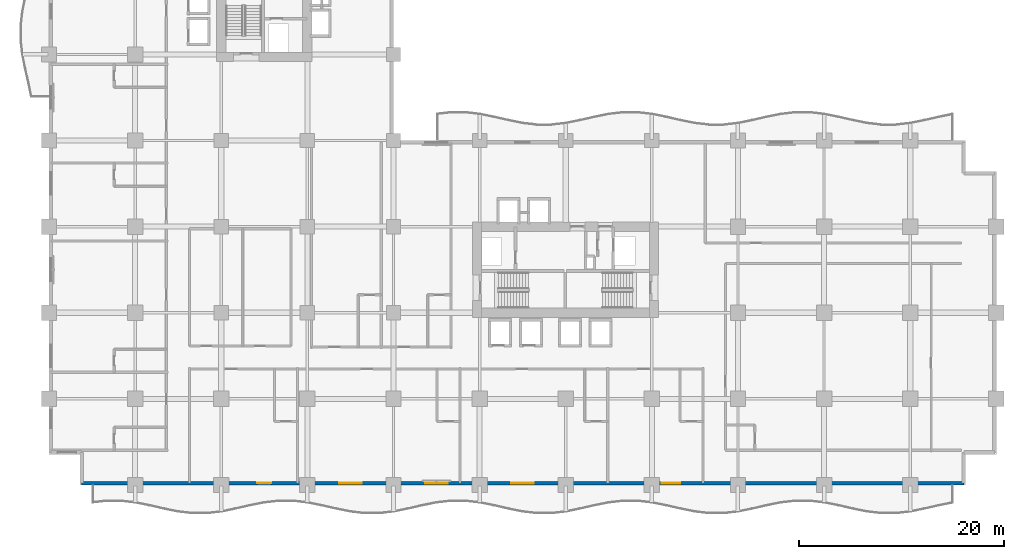
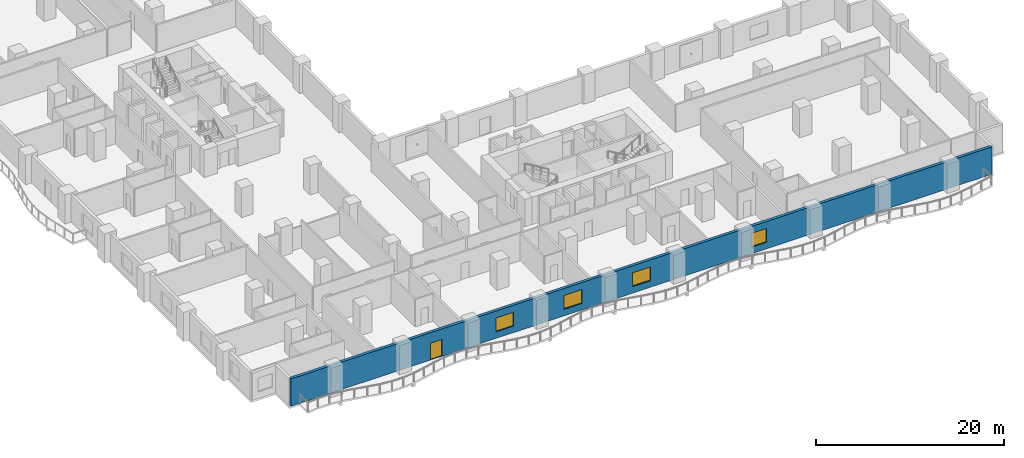
# One storey, part 5 of 20: 4 windows, 1 door, 1 wall, 5 openings.
"""IFC4 building model written with IfcOpenShell, lengths in metres."""

from ifc_helpers import new_model, si_unit, direction, frame, frame_2d, origin, place, context, subcontext, project, spatial, rectangle, extrude, material, layer, layer_set, type_object, element, fill, save


model = new_model("IFC4")

# Units and contexts
model_context = context("Model", 3, precision=1e-05, world=origin(), true_north=direction((0.0, 1.0)))
body_context = subcontext(model_context, "Body", "Model", "MODEL_VIEW")
ifc_project = project(units=[si_unit("LENGTHUNIT", "METRE"), si_unit("AREAUNIT", "SQUARE_METRE"), si_unit("VOLUMEUNIT", "CUBIC_METRE"), si_unit("PLANEANGLEUNIT", "RADIAN"), si_unit("MASSUNIT", "GRAM", prefix="KILO")], contexts=[model_context])

# Site, building, storey
site_placement = place(None, origin())
site = spatial("IfcSite", under=ifc_project, at=site_placement, CompositionType="ELEMENT")
building_placement = place(site_placement, origin())
building = spatial("IfcBuilding", under=site, at=building_placement, Name="Koriwani Terraces Tower", CompositionType="ELEMENT")
storey_placement = place(building_placement, frame((0.0, 0.0, 66.199951171875)))
storey = spatial("IfcBuildingStorey", under=building, at=storey_placement, Name="L15", CompositionType="ELEMENT", Elevation=66.199951171875)

# Wall, openings, door, windows
ifc_material_1 = material(Name="Concrete C50/60", Category="concrete")
ifc_layer = layer(ifc_material_1, 0.35009765625, Name="Concrete C50/60")
ifc_layer_set = layer_set([ifc_layer], Name="Concrete C50/60")
wall_type = type_object("IfcWallType", Name="WALL_EXT_BRUTALIST_350", PredefinedType="STANDARD", material=ifc_layer_set)
wall_placement = place(storey_placement, frame((89.22509765625, 0.175048828125, 0.0), z_axis=(0.0, 0.0, 1.0), x_axis=(-1.0, 0.0, 0.0)))
wall = element("IfcWall", 1, at=wall_placement, inside=storey, type_object=wall_type, Name="L15 Fair-Faced Brutalist Exterior Wall (S)", PredefinedType="STANDARD", context=body_context, shape_type="SweptSolid", body=[
    extrude(rectangle(XDim=86.050048828125, YDim=0.35009765625, at=frame_2d((43.02490234375, 0.0))), origin(), (0.0, 0.0, 1.0), 3.550048828125),
])
opening_1_placement = place(wall_placement, frame((67.52490234375, 0.0, 0.0)))
opening_1 = element("IfcOpeningElement", 2, at=opening_1_placement, cuts=wall, Name="Opening D-09", PredefinedType="OPENING", context=body_context, shape_type="SweptSolid", body=[
    extrude(rectangle(XDim=1.39990234375, YDim=2.199951171875, at=frame_2d((0.699951171875, 1.10009765625))), frame((0.0, 0.18505859375, 0.0), z_axis=(0.0, -1.0, 0.0), x_axis=(1.0, 0.0, 0.0)), (0.0, 0.0, 1.0), 0.3701171875),
])
opening_2_placement = place(wall_placement, frame((58.72509765625, 0.0, 0.85009765625)))
opening_2 = element("IfcOpeningElement", 3, at=opening_2_placement, cuts=wall, Name="Opening W-01", PredefinedType="OPENING", context=body_context, shape_type="SweptSolid", body=[
    extrude(rectangle(XDim=2.199951171875, YDim=1.800048828125, at=frame_2d((1.10009765625, 0.89990234375))), frame((0.0, 0.18505859375, 0.0), z_axis=(0.0, -1.0, 0.0), x_axis=(1.0, 0.0, 0.0)), (0.0, 0.0, 1.0), 0.3701171875),
])
opening_3_placement = place(wall_placement, frame((50.324951171875, 0.0, 0.85009765625)))
opening_3 = element("IfcOpeningElement", 4, at=opening_3_placement, cuts=wall, Name="Opening W-01", PredefinedType="OPENING", context=body_context, shape_type="SweptSolid", body=[
    extrude(rectangle(XDim=2.199951171875, YDim=1.800048828125, at=frame_2d((1.10009765625, 0.89990234375))), frame((0.0, 0.18505859375, 0.0), z_axis=(0.0, -1.0, 0.0), x_axis=(1.0, 0.0, 0.0)), (0.0, 0.0, 1.0), 0.3701171875),
])
opening_4_placement = place(wall_placement, frame((41.925048828125, 0.0, 0.85009765625)))
opening_4 = element("IfcOpeningElement", 5, at=opening_4_placement, cuts=wall, Name="Opening W-01", PredefinedType="OPENING", context=body_context, shape_type="SweptSolid", body=[
    extrude(rectangle(XDim=2.199951171875, YDim=1.800048828125, at=frame_2d((1.10009765625, 0.89990234375))), frame((0.0, 0.18505859375, 0.0), z_axis=(0.0, -1.0, 0.0), x_axis=(1.0, 0.0, 0.0)), (0.0, 0.0, 1.0), 0.3701171875),
])
opening_5_placement = place(wall_placement, frame((27.675048828125, 0.0, 0.85009765625)))
opening_5 = element("IfcOpeningElement", 6, at=opening_5_placement, cuts=wall, Name="Opening W-04", PredefinedType="OPENING", context=body_context, shape_type="SweptSolid", body=[
    extrude(rectangle(XDim=1.800048828125, YDim=1.800048828125, at=frame_2d((0.89990234375, 0.89990234375))), frame((0.0, 0.18505859375, 0.0), z_axis=(0.0, -1.0, 0.0), x_axis=(1.0, 0.0, 0.0)), (0.0, 0.0, 1.0), 0.3701171875),
])
ifc_material_2 = material(Name="Anodised Bronze Aluminium", Category="aluminium")
door_type = type_object("IfcDoorType", Name="DOOR_BALCONY_GLAZED_1400X2200", OperationType="NOTDEFINED", PredefinedType="DOOR", material=ifc_material_2)
door_placement = place(opening_1_placement, origin())
door = element("IfcDoor", 7, at=door_placement, inside=storey, type_object=door_type, Name="L15 South Balcony Glazed Door", OperationType="SINGLE_SWING_LEFT", OverallHeight=2.199951171875, OverallWidth=1.39990234375, PredefinedType="DOOR", context=body_context, shape_type="SweptSolid", body=[
    extrude(rectangle(XDim=1.39990234375, YDim=2.199951171875, at=frame_2d((0.699951171875, 1.10009765625))), frame((0.0, 0.02490234375, 0.0), z_axis=(0.0, -1.0, 0.0), x_axis=(1.0, 0.0, 0.0)), (0.0, 0.0, 1.0), 0.050048828125),
])
fill(opening_1, door)
ifc_material_3 = material(Name="Tempered Laminated Low-E Glass", Category="glass")
window_type_1 = type_object("IfcWindowType", Name="WIN_HOTEL_STD_2200X1800", PartitioningType="DOUBLE_PANEL_VERTICAL", PredefinedType="WINDOW", material=ifc_material_3)
window_1_placement = place(opening_2_placement, origin())
window_1 = element("IfcWindow", 8, at=window_1_placement, inside=storey, type_object=window_type_1, Name="L15 Exterior Window (S-9)", OverallHeight=1.800048828125, OverallWidth=2.199951171875, PartitioningType="SINGLE_PANEL", PredefinedType="WINDOW", context=body_context, shape_type="SweptSolid", body=[
    extrude(rectangle(XDim=2.199951171875, YDim=1.800048828125, at=frame_2d((1.10009765625, 0.89990234375))), frame((0.0, 0.030029296875, 0.0), z_axis=(0.0, -1.0, 0.0), x_axis=(1.0, 0.0, 0.0)), (0.0, 0.0, 1.0), 0.06005859375),
])
fill(opening_2, window_1)
window_2_placement = place(opening_3_placement, origin())
window_2 = element("IfcWindow", 9, at=window_2_placement, inside=storey, type_object=window_type_1, Name="L15 Exterior Window (S-12)", OverallHeight=1.800048828125, OverallWidth=2.199951171875, PartitioningType="SINGLE_PANEL", PredefinedType="WINDOW", context=body_context, shape_type="SweptSolid", body=[
    extrude(rectangle(XDim=2.199951171875, YDim=1.800048828125, at=frame_2d((1.10009765625, 0.89990234375))), frame((0.0, 0.030029296875, 0.0), z_axis=(0.0, -1.0, 0.0), x_axis=(1.0, 0.0, 0.0)), (0.0, 0.0, 1.0), 0.06005859375),
])
fill(opening_3, window_2)
window_3_placement = place(opening_4_placement, origin())
window_3 = element("IfcWindow", 10, at=window_3_placement, inside=storey, type_object=window_type_1, Name="L15 Exterior Window (S-15)", OverallHeight=1.800048828125, OverallWidth=2.199951171875, PartitioningType="SINGLE_PANEL", PredefinedType="WINDOW", context=body_context, shape_type="SweptSolid", body=[
    extrude(rectangle(XDim=2.199951171875, YDim=1.800048828125, at=frame_2d((1.10009765625, 0.89990234375))), frame((0.0, 0.030029296875, 0.0), z_axis=(0.0, -1.0, 0.0), x_axis=(1.0, 0.0, 0.0)), (0.0, 0.0, 1.0), 0.06005859375),
])
fill(opening_4, window_3)
window_type_2 = type_object("IfcWindowType", Name="WIN_RES_BED_1800X1800", PartitioningType="DOUBLE_PANEL_VERTICAL", PredefinedType="WINDOW", material=ifc_material_3)
window_4_placement = place(opening_5_placement, origin())
window_4 = element("IfcWindow", 11, at=window_4_placement, inside=storey, type_object=window_type_2, Name="L15 Exterior Window (S-R53)", OverallHeight=1.800048828125, OverallWidth=1.800048828125, PartitioningType="SINGLE_PANEL", PredefinedType="WINDOW", context=body_context, shape_type="SweptSolid", body=[
    extrude(rectangle(XDim=1.800048828125, YDim=1.800048828125, at=frame_2d((0.89990234375, 0.89990234375))), frame((0.0, 0.030029296875, 0.0), z_axis=(0.0, -1.0, 0.0), x_axis=(1.0, 0.0, 0.0)), (0.0, 0.0, 1.0), 0.06005859375),
])
fill(opening_5, window_4)

save(model, "model.ifc")
